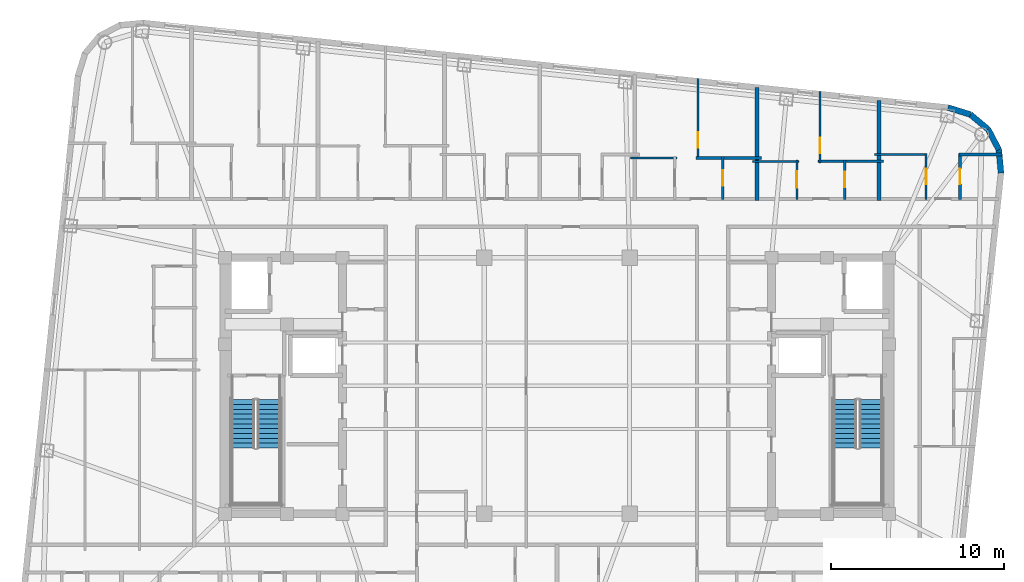
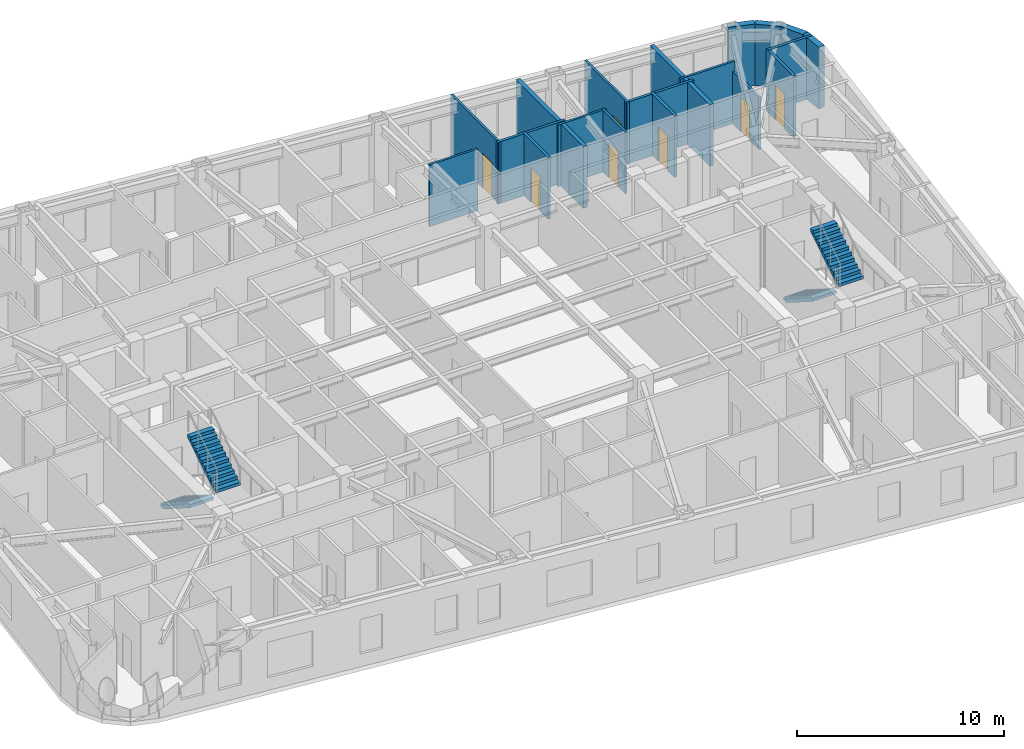
# One storey, part 9 of 11: 19 walls, 7 doors, 4 stair flights, 7 openings, 2 elements without a shape of their own.
"""IFC4 building model written with IfcOpenShell, lengths in metres."""

from ifc_helpers import new_model, si_unit, direction, frame, frame_2d, origin, place, context, subcontext, project, spatial, polyline, rectangle, outline, extrude, material, layer, layer_set, type_object, element, fill, aggregate, save


model = new_model("IFC4")

# Units and contexts
model_context = context("Model", 3, precision=1e-05, world=origin(), true_north=direction((0.0, 1.0)))
body_context = subcontext(model_context, "Body", "Model", "MODEL_VIEW")
ifc_project = project(units=[si_unit("LENGTHUNIT", "METRE"), si_unit("AREAUNIT", "SQUARE_METRE"), si_unit("VOLUMEUNIT", "CUBIC_METRE"), si_unit("PLANEANGLEUNIT", "RADIAN"), si_unit("MASSUNIT", "GRAM", prefix="KILO")], contexts=[model_context])

# Site, building, storey
site_placement = place(None, origin())
site = spatial("IfcSite", under=ifc_project, at=site_placement, CompositionType="ELEMENT")
building_placement = place(site_placement, origin())
building = spatial("IfcBuilding", under=site, at=building_placement, Name="Voryun Gate Residences", CompositionType="ELEMENT")
storey_placement = place(building_placement, frame((0.0, 0.0, 283.39990234375)))
storey = spatial("IfcBuildingStorey", under=building, at=storey_placement, Name="L70", CompositionType="ELEMENT", Elevation=283.39990234375)

# Walls
ifc_material_1 = material(Name="Charcoal terracotta masonry", Category="masonry")
ifc_layer_1 = layer(ifc_material_1, 0.340087890625, Name="W_EXT_TERRACOTTA_340")
ifc_layer_set_1 = layer_set([ifc_layer_1], Name="Charcoal terracotta masonry")
wall_type_1 = type_object("IfcWallType", Name="W_EXT_TERRACOTTA_340", PredefinedType="ELEMENTEDWALL", material=ifc_layer_set_1)
wall_1_placement = place(storey_placement, frame((22.6025390625, 16.083740234375, 0.0), z_axis=(0.0, 0.0, 1.0), x_axis=(0.955007802701, -0.296580674994, 0.0)))
element("IfcWall", 1, at=wall_1_placement, inside=storey, type_object=wall_type_1, Name="Exterior wall WEXT-L70-12", PredefinedType="ELEMENTEDWALL", context=body_context, shape_type="SweptSolid", body=[
    extrude(rectangle(XDim=1.354248046875, YDim=0.340087890625, at=frame_2d((0.67724609375, 0.0))), origin(), (0.0, 0.0, 1.0), 3.650146484375),
])
for number, where, z_axis, x_axis, name in (
    (2, (23.895751953125, 15.68212890625, 0.0), (0.0, 0.0, 1.0), (0.768789762863, -0.639501603217, 0.0), "Exterior wall WEXT-L70-13"),
    (3, (24.923583984375, 14.8271484375, 0.0), (0.0, 0.0, 1.0), (0.46567116636, -0.884957832228, 0.0), "Exterior wall WEXT-L70-14"),
):
    element("IfcWall", number, at=place(storey_placement, frame(where, z_axis=z_axis, x_axis=x_axis)), inside=storey, type_object=wall_type_1, Name=name, PredefinedType="ELEMENTEDWALL", context=body_context, shape_type="SweptSolid", body=[
        extrude(rectangle(XDim=1.3369140625, YDim=0.340087890625, at=frame_2d((0.66845703125, 0.0))), origin(), (0.0, 0.0, 1.0), 3.650146484375),
    ])
wall_2_placement = place(storey_placement, frame((25.546142578125, 13.64404296875, 0.0), z_axis=(0.0, 0.0, 1.0), x_axis=(0.091592370975, -0.995796584438, 0.0)))
element("IfcWall", 4, at=wall_2_placement, inside=storey, type_object=wall_type_1, Name="Exterior wall WEXT-L70-15", PredefinedType="ELEMENTEDWALL", context=body_context, shape_type="SweptSolid", body=[
    extrude(rectangle(XDim=1.35400390625, YDim=0.340087890625, at=frame_2d((0.677001953125, 0.0))), origin(), (0.0, 0.0, 1.0), 3.650146484375),
])
ifc_material_2 = material(Name="Concrete C40/50", Category="concrete")
ifc_layer_2 = layer(ifc_material_2, 0.219970703125, Name="W_PARTY_ACOUSTIC_220")
ifc_layer_set_2 = layer_set([ifc_layer_2], Name="Concrete C40/50")
wall_type_2 = type_object("IfcWallType", Name="W_PARTY_ACOUSTIC_220", PredefinedType="PARTITIONING", material=ifc_layer_set_2)
wall_3_placement = place(storey_placement, frame((11.55908203125, 10.719970703125, 0.0), z_axis=(0.0, 0.0, 1.0), x_axis=(0.0, 1.0, 0.0)))
element("IfcWall", 5, at=wall_3_placement, inside=storey, type_object=wall_type_2, Name="Partition wall WP-L70-NPTY-6", PredefinedType="PARTITIONING", context=body_context, shape_type="SweptSolid", body=[
    extrude(rectangle(XDim=6.5244140625, YDim=0.219970703125, at=frame_2d((3.26220703125, 0.0))), origin(), (0.0, 0.0, 1.0), 3.650146484375),
])
wall_4_placement = place(storey_placement, frame((18.617919921875, 10.719970703125, 0.0), z_axis=(0.0, 0.0, 1.0), x_axis=(0.0, 1.0, 0.0)))
element("IfcWall", 6, at=wall_4_placement, inside=storey, type_object=wall_type_2, Name="Partition wall WP-L70-NPTY-7", PredefinedType="PARTITIONING", context=body_context, shape_type="SweptSolid", body=[
    extrude(rectangle(XDim=5.782470703125, YDim=0.219970703125, at=frame_2d((2.89111328125, 0.0))), origin(), (0.0, 0.0, 1.0), 3.650146484375),
])

# Wall, opening, door
ifc_material_3 = material(Name="Gypsum acoustic partition")
ifc_layer_3 = layer(ifc_material_3, 0.125, Name="W_UNIT_PART_125")
ifc_layer_set_3 = layer_set([ifc_layer_3], Name="Gypsum acoustic partition")
wall_type_3 = type_object("IfcWallType", Name="W_UNIT_PART_125", PredefinedType="PARTITIONING", material=ifc_layer_set_3)
wall_5_placement = place(storey_placement, frame((8.14892578125, 13.0869140625, 0.0), z_axis=(0.0, 0.0, 1.0), x_axis=(0.0, 1.0, 0.0)))
wall_5 = element("IfcWall", 7, at=wall_5_placement, inside=storey, type_object=wall_type_3, Name="Partition wall WP-L70-N6-OVR", PredefinedType="PARTITIONING", context=body_context, shape_type="SweptSolid", body=[
    extrude(rectangle(XDim=4.666748046875, YDim=0.125, at=frame_2d((2.33349609375, 0.0))), origin(), (0.0, 0.0, 1.0), 3.650146484375),
])
opening_1_placement = place(wall_5_placement, frame((0.669921875, 0.0, 0.0)))
opening_1 = element("IfcOpeningElement", 8, at=opening_1_placement, cuts=wall_5, Name="Opening D-INT-2", PredefinedType="OPENING", context=body_context, shape_type="SweptSolid", body=[
    extrude(rectangle(XDim=0.89990234375, YDim=2.050048828125, at=frame_2d((0.449951171875, 1.02490234375))), frame((0.0, 0.072509765625, 0.0), z_axis=(0.0, -1.0, 0.0), x_axis=(1.0, 0.0, 0.0)), (0.0, 0.0, 1.0), 0.14501953125),
])
ifc_material_4 = material(Name="Architectural oak veneer")
door_type_1 = type_object("IfcDoorType", Name="DR_INT_BATH_900", OperationType="NOTDEFINED", PredefinedType="DOOR", material=ifc_material_4)
door_1_placement = place(opening_1_placement, origin())
door_1 = element("IfcDoor", 9, at=door_1_placement, inside=storey, type_object=door_type_1, Name="Door DR-L70-N6-DMB", OperationType="SINGLE_SWING_RIGHT", OverallHeight=2.050048828125, OverallWidth=0.89990234375, PredefinedType="DOOR", context=body_context, shape_type="SweptSolid", body=[
    extrude(rectangle(XDim=0.89990234375, YDim=2.050048828125, at=frame_2d((0.449951171875, 1.02490234375))), frame((0.0, 0.02490234375, 0.0), z_axis=(0.0, -1.0, 0.0), x_axis=(1.0, 0.0, 0.0)), (0.0, 0.0, 1.0), 0.050048828125),
])
fill(opening_1, door_1)

# Wall
wall_6_placement = place(storey_placement, frame((4.239990234375, 13.1669921875, 0.0), z_axis=(0.0, 0.0, 1.0), x_axis=(1.0, 0.0, 0.0)))
element("IfcWall", 10, at=wall_6_placement, inside=storey, type_object=wall_type_3, Name="Partition wall WP-L70-N6-HZK", PredefinedType="PARTITIONING", context=body_context, shape_type="SweptSolid", body=[
    extrude(rectangle(XDim=2.68994140625, YDim=0.125, at=frame_2d((1.344970703125, 0.0))), origin(), (0.0, 0.0, 1.0), 3.650146484375),
])

# Wall, opening, door
wall_7_placement = place(storey_placement, frame((15.2080078125, 12.889892578125, 0.0), z_axis=(0.0, 0.0, 1.0), x_axis=(0.0, 1.0, 0.0)))
wall_7 = element("IfcWall", 11, at=wall_7_placement, inside=storey, type_object=wall_type_3, Name="Partition wall WP-L70-N7-OVR", PredefinedType="PARTITIONING", context=body_context, shape_type="SweptSolid", body=[
    extrude(rectangle(XDim=4.121826171875, YDim=0.125, at=frame_2d((2.06103515625, 0.0))), origin(), (0.0, 0.0, 1.0), 3.650146484375),
])
opening_2_placement = place(wall_7_placement, frame((0.539306640625, 0.0, 0.0)))
opening_2 = element("IfcOpeningElement", 12, at=opening_2_placement, cuts=wall_7, Name="Opening D-INT-2", PredefinedType="OPENING", context=body_context, shape_type="SweptSolid", body=[
    extrude(rectangle(XDim=0.89990234375, YDim=2.050048828125, at=frame_2d((0.449951171875, 1.02490234375))), frame((0.0, 0.072509765625, 0.0), z_axis=(0.0, -1.0, 0.0), x_axis=(1.0, 0.0, 0.0)), (0.0, 0.0, 1.0), 0.14501953125),
])
door_2_placement = place(opening_2_placement, origin())
door_2 = element("IfcDoor", 13, at=door_2_placement, inside=storey, type_object=door_type_1, Name="Door DR-L70-N7-DMB", OperationType="SINGLE_SWING_RIGHT", OverallHeight=2.050048828125, OverallWidth=0.89990234375, PredefinedType="DOOR", context=body_context, shape_type="SweptSolid", body=[
    extrude(rectangle(XDim=0.89990234375, YDim=2.050048828125, at=frame_2d((0.449951171875, 1.02490234375))), frame((0.0, 0.02490234375, 0.0), z_axis=(0.0, -1.0, 0.0), x_axis=(1.0, 0.0, 0.0)), (0.0, 0.0, 1.0), 0.050048828125),
])
fill(opening_2, door_2)

wall_8_placement = place(storey_placement, frame((13.868896484375, 10.780029296875, 0.0), z_axis=(0.0, 0.0, 1.0), x_axis=(0.0, 1.0, 0.0)))
wall_8 = element("IfcWall", 14, at=wall_8_placement, inside=storey, type_object=wall_type_3, Name="Partition wall WP-L70-N7-IVK", PredefinedType="PARTITIONING", context=body_context, shape_type="SweptSolid", body=[
    extrude(rectangle(XDim=2.27001953125, YDim=0.125, at=frame_2d((1.135009765625, 0.0))), origin(), (0.0, 0.0, 1.0), 3.650146484375),
])
opening_3_placement = place(wall_8_placement, frame((0.659912109375, 0.0, 0.0)))
opening_3 = element("IfcOpeningElement", 15, at=opening_3_placement, cuts=wall_8, Name="Opening D-INT-1", PredefinedType="OPENING", context=body_context, shape_type="SweptSolid", body=[
    extrude(rectangle(XDim=0.949951171875, YDim=2.050048828125, at=frame_2d((0.47509765625, 1.02490234375))), frame((0.0, 0.072509765625, 0.0), z_axis=(0.0, -1.0, 0.0), x_axis=(1.0, 0.0, 0.0)), (0.0, 0.0, 1.0), 0.14501953125),
])
ifc_material_5 = material(Name="Architectural oak veneer")
door_type_2 = type_object("IfcDoorType", Name="DR_INT_ROOM_950", OperationType="NOTDEFINED", PredefinedType="DOOR", material=ifc_material_5)
door_3_placement = place(opening_3_placement, origin())
door_3 = element("IfcDoor", 16, at=door_3_placement, inside=storey, type_object=door_type_2, Name="Door DR-L70-N7-DK", OperationType="SINGLE_SWING_LEFT", OverallHeight=2.050048828125, OverallWidth=0.949951171875, PredefinedType="DOOR", context=body_context, shape_type="SweptSolid", body=[
    extrude(rectangle(XDim=0.949951171875, YDim=2.050048828125, at=frame_2d((0.47509765625, 1.02490234375))), frame((0.0, 0.02490234375, 0.0), z_axis=(0.0, -1.0, 0.0), x_axis=(1.0, 0.0, 0.0)), (0.0, 0.0, 1.0), 0.050048828125),
])
fill(opening_3, door_3)

# Wall
wall_9_placement = place(storey_placement, frame((11.299072265625, 12.969970703125, 0.0), z_axis=(0.0, 0.0, 1.0), x_axis=(1.0, 0.0, 0.0)))
element("IfcWall", 17, at=wall_9_placement, inside=storey, type_object=wall_type_3, Name="Partition wall WP-L70-N7-HZK", PredefinedType="PARTITIONING", context=body_context, shape_type="SweptSolid", body=[
    extrude(rectangle(XDim=2.68994140625, YDim=0.125, at=frame_2d((1.344970703125, 0.0))), origin(), (0.0, 0.0, 1.0), 3.650146484375),
])

# Wall, opening, door
wall_10_placement = place(storey_placement, frame((21.337890625, 10.780029296875, 0.0), z_axis=(0.0, 0.0, 1.0), x_axis=(0.0, 1.0, 0.0)))
wall_10 = element("IfcWall", 18, at=wall_10_placement, inside=storey, type_object=wall_type_3, Name="Partition wall WP-L70-N8-CVK", PredefinedType="PARTITIONING", context=body_context, shape_type="SweptSolid", body=[
    extrude(rectangle(XDim=2.64990234375, YDim=0.125, at=frame_2d((1.324951171875, 0.0))), origin(), (0.0, 0.0, 1.0), 3.090087890625),
])
opening_4_placement = place(wall_10_placement, frame((0.875, 0.0, 0.0)))
opening_4 = element("IfcOpeningElement", 19, at=opening_4_placement, cuts=wall_10, Name="Opening D-INT-2", PredefinedType="OPENING", context=body_context, shape_type="SweptSolid", body=[
    extrude(rectangle(XDim=0.89990234375, YDim=2.050048828125, at=frame_2d((0.449951171875, 1.02490234375))), frame((0.0, 0.072509765625, 0.0), z_axis=(0.0, -1.0, 0.0), x_axis=(1.0, 0.0, 0.0)), (0.0, 0.0, 1.0), 0.14501953125),
])
door_4_placement = place(opening_4_placement, origin())
door_4 = element("IfcDoor", 20, at=door_4_placement, inside=storey, type_object=door_type_1, Name="Door DR-L70-N8-DK", OperationType="SINGLE_SWING_LEFT", OverallHeight=2.050048828125, OverallWidth=0.89990234375, PredefinedType="DOOR", context=body_context, shape_type="SweptSolid", body=[
    extrude(rectangle(XDim=0.89990234375, YDim=2.050048828125, at=frame_2d((0.449951171875, 1.02490234375))), frame((0.0, 0.02490234375, 0.0), z_axis=(0.0, -1.0, 0.0), x_axis=(1.0, 0.0, 0.0)), (0.0, 0.0, 1.0), 0.050048828125),
])
fill(opening_4, door_4)

# Walls
wall_11_placement = place(storey_placement, frame((18.35791015625, 13.3701171875, 0.0), z_axis=(0.0, 0.0, 1.0), x_axis=(1.0, 0.0, 0.0)))
element("IfcWall", 21, at=wall_11_placement, inside=storey, type_object=wall_type_3, Name="Partition wall WP-L70-N8-CHK", PredefinedType="PARTITIONING", context=body_context, shape_type="SweptSolid", body=[
    extrude(rectangle(XDim=3.0400390625, YDim=0.125, at=frame_2d((1.52001953125, 0.0))), origin(), (0.0, 0.0, 1.0), 3.650146484375),
])
ifc_material_6 = material(Name="Gypsum moisture-resistant partition")
ifc_layer_4 = layer(ifc_material_6, 0.14990234375, Name="W_WET_PLUMB_150")
ifc_layer_set_4 = layer_set([ifc_layer_4], Name="Gypsum moisture-resistant partition")
wall_type_4 = type_object("IfcWallType", Name="W_WET_PLUMB_150", PredefinedType="PLUMBINGWALL", material=ifc_layer_set_4)
wall_12_placement = place(storey_placement, frame((8.029052734375, 13.1669921875, 0.0), z_axis=(0.0, 0.0, 1.0), x_axis=(1.0, 0.0, 0.0)))
element("IfcWall", 22, at=wall_12_placement, inside=storey, type_object=wall_type_4, Name="Partition wall WP-L70-N6-HZB", PredefinedType="PLUMBINGWALL", context=body_context, shape_type="SweptSolid", body=[
    extrude(rectangle(XDim=3.7900390625, YDim=0.14990234375, at=frame_2d((1.89501953125, 0.0))), origin(), (0.0, 0.0, 1.0), 3.650146484375),
])

# Wall, opening, door
wall_13_placement = place(storey_placement, frame((9.5791015625, 10.780029296875, 0.0), z_axis=(0.0, 0.0, 1.0), x_axis=(0.0, 1.0, 0.0)))
wall_13 = element("IfcWall", 23, at=wall_13_placement, inside=storey, type_object=wall_type_4, Name="Partition wall WP-L70-N6-IVB", PredefinedType="PLUMBINGWALL", context=body_context, shape_type="SweptSolid", body=[
    extrude(rectangle(XDim=2.467041015625, YDim=0.14990234375, at=frame_2d((1.2333984375, 0.0))), origin(), (0.0, 0.0, 1.0), 3.650146484375),
])
opening_5_placement = place(wall_13_placement, frame((0.783447265625, 0.0, 0.0)))
opening_5 = element("IfcOpeningElement", 24, at=opening_5_placement, cuts=wall_13, Name="Opening D-INT-2", PredefinedType="OPENING", context=body_context, shape_type="SweptSolid", body=[
    extrude(rectangle(XDim=0.89990234375, YDim=2.050048828125, at=frame_2d((0.449951171875, 1.02490234375))), frame((0.0, 0.0849609375, 0.0), z_axis=(0.0, -1.0, 0.0), x_axis=(1.0, 0.0, 0.0)), (0.0, 0.0, 1.0), 0.169921875),
])
door_5_placement = place(opening_5_placement, origin())
door_5 = element("IfcDoor", 25, at=door_5_placement, inside=storey, type_object=door_type_1, Name="Door DR-L70-N6-DB", OperationType="SINGLE_SWING_RIGHT", OverallHeight=2.050048828125, OverallWidth=0.89990234375, PredefinedType="DOOR", context=body_context, shape_type="SweptSolid", body=[
    extrude(rectangle(XDim=0.89990234375, YDim=2.050048828125, at=frame_2d((0.449951171875, 1.02490234375))), frame((0.0, 0.02490234375, 0.0), z_axis=(0.0, -1.0, 0.0), x_axis=(1.0, 0.0, 0.0)), (0.0, 0.0, 1.0), 0.050048828125),
])
fill(opening_5, door_5)

# Wall
wall_14_placement = place(storey_placement, frame((15.087890625, 12.969970703125, 0.0), z_axis=(0.0, 0.0, 1.0), x_axis=(1.0, 0.0, 0.0)))
element("IfcWall", 26, at=wall_14_placement, inside=storey, type_object=wall_type_4, Name="Partition wall WP-L70-N7-HZB", PredefinedType="PLUMBINGWALL", context=body_context, shape_type="SweptSolid", body=[
    extrude(rectangle(XDim=3.7900390625, YDim=0.14990234375, at=frame_2d((1.89501953125, 0.0))), origin(), (0.0, 0.0, 1.0), 3.650146484375),
])

# Wall, opening, door
wall_15_placement = place(storey_placement, frame((16.637939453125, 10.780029296875, 0.0), z_axis=(0.0, 0.0, 1.0), x_axis=(0.0, 1.0, 0.0)))
wall_15 = element("IfcWall", 27, at=wall_15_placement, inside=storey, type_object=wall_type_4, Name="Partition wall WP-L70-N7-IVB", PredefinedType="PLUMBINGWALL", context=body_context, shape_type="SweptSolid", body=[
    extrude(rectangle(XDim=2.27001953125, YDim=0.14990234375, at=frame_2d((1.135009765625, 0.0))), origin(), (0.0, 0.0, 1.0), 3.650146484375),
])
opening_6_placement = place(wall_15_placement, frame((0.68505859375, 0.0, 0.0)))
opening_6 = element("IfcOpeningElement", 28, at=opening_6_placement, cuts=wall_15, Name="Opening D-INT-2", PredefinedType="OPENING", context=body_context, shape_type="SweptSolid", body=[
    extrude(rectangle(XDim=0.89990234375, YDim=2.050048828125, at=frame_2d((0.449951171875, 1.02490234375))), frame((0.0, 0.0849609375, 0.0), z_axis=(0.0, -1.0, 0.0), x_axis=(1.0, 0.0, 0.0)), (0.0, 0.0, 1.0), 0.169921875),
])
door_6_placement = place(opening_6_placement, origin())
door_6 = element("IfcDoor", 29, at=door_6_placement, inside=storey, type_object=door_type_1, Name="Door DR-L70-N7-DB", OperationType="SINGLE_SWING_RIGHT", OverallHeight=2.050048828125, OverallWidth=0.89990234375, PredefinedType="DOOR", context=body_context, shape_type="SweptSolid", body=[
    extrude(rectangle(XDim=0.89990234375, YDim=2.050048828125, at=frame_2d((0.449951171875, 1.02490234375))), frame((0.0, 0.02490234375, 0.0), z_axis=(0.0, -1.0, 0.0), x_axis=(1.0, 0.0, 0.0)), (0.0, 0.0, 1.0), 0.050048828125),
])
fill(opening_6, door_6)

wall_16_placement = place(storey_placement, frame((23.297119140625, 10.780029296875, 0.0), z_axis=(0.0, 0.0, 1.0), x_axis=(0.0, 1.0, 0.0)))
wall_16 = element("IfcWall", 30, at=wall_16_placement, inside=storey, type_object=wall_type_4, Name="Partition wall WP-L70-N8-CVB", PredefinedType="PLUMBINGWALL", context=body_context, shape_type="SweptSolid", body=[
    extrude(rectangle(XDim=2.64990234375, YDim=0.14990234375, at=frame_2d((1.324951171875, 0.0))), origin(), (0.0, 0.0, 1.0), 3.650146484375),
])
opening_7_placement = place(wall_16_placement, frame((0.875, 0.0, 0.0)))
opening_7 = element("IfcOpeningElement", 31, at=opening_7_placement, cuts=wall_16, Name="Opening D-INT-2", PredefinedType="OPENING", context=body_context, shape_type="SweptSolid", body=[
    extrude(rectangle(XDim=0.89990234375, YDim=2.050048828125, at=frame_2d((0.449951171875, 1.02490234375))), frame((0.0, 0.0849609375, 0.0), z_axis=(0.0, -1.0, 0.0), x_axis=(1.0, 0.0, 0.0)), (0.0, 0.0, 1.0), 0.169921875),
])
door_7_placement = place(opening_7_placement, origin())
door_7 = element("IfcDoor", 32, at=door_7_placement, inside=storey, type_object=door_type_1, Name="Door DR-L70-N8-DB", OperationType="SINGLE_SWING_RIGHT", OverallHeight=2.050048828125, OverallWidth=0.89990234375, PredefinedType="DOOR", context=body_context, shape_type="SweptSolid", body=[
    extrude(rectangle(XDim=0.89990234375, YDim=2.050048828125, at=frame_2d((0.449951171875, 1.02490234375))), frame((0.0, 0.02490234375, 0.0), z_axis=(0.0, -1.0, 0.0), x_axis=(1.0, 0.0, 0.0)), (0.0, 0.0, 1.0), 0.050048828125),
])
fill(opening_7, door_7)

# Wall
wall_17_placement = place(storey_placement, frame((23.237060546875, 13.3701171875, 0.0), z_axis=(0.0, 0.0, 1.0), x_axis=(1.0, 0.0, 0.0)))
element("IfcWall", 33, at=wall_17_placement, inside=storey, type_object=wall_type_4, Name="Partition wall WP-L70-N8-CHB", PredefinedType="PLUMBINGWALL", context=body_context, shape_type="SweptSolid", body=[
    extrude(rectangle(XDim=2.48486328125, YDim=0.14990234375, at=frame_2d((1.242431640625, 0.0))), origin(), (0.0, 0.0, 1.0), 3.650146484375),
])

# Stair, stair flights
ifc_material_7 = material(Name="Concrete C40/50", Category="concrete")
stair_type = type_object("IfcStairType", Name="STR_CORE_DOGLEG_1350", PredefinedType="HALF_TURN_STAIR", material=ifc_material_7)
stair_1_placement = place(storey_placement, origin())
stair_1 = element("IfcStair", 34, at=stair_1_placement, inside=storey, type_object=stair_type, Name="L70 Special Escape Stair ST-W1", PredefinedType="HALF_TURN_STAIR")
ifc_material_8 = material(Name="Concrete C40/50", Category="concrete")
stair_flight_type = type_object("IfcStairFlightType", Name="FLT_CORE_1350", PredefinedType="STRAIGHT", material=ifc_material_8)
stair_flight_1_placement = place(storey_placement, frame((-18.14990234375, -0.800048828125, 0.0), z_axis=(0.0, 0.0, 1.0), x_axis=(0.0, -1.0, 0.0)))
stair_flight_1 = element("IfcStairFlight", 35, at=stair_flight_1_placement, type_object=stair_flight_type, Name="ST-W1 flight 1", NumberOfRisers=11, NumberOfTreads=10, PredefinedType="STRAIGHT", RiserHeight=0.177272727, TreadLength=0.28, context=body_context, shape_type="SweptSolid", body=[
    extrude(outline(polyline([(0.0, 0.0), (0.0, 0.17724609375), (0.280029296875, 0.17724609375), (0.280029296875, 0.3544921875), (0.56005859375, 0.3544921875), (0.56005859375, 0.53173828125), (0.840087890625, 0.53173828125), (0.840087890625, 0.708984375), (1.1201171875, 0.708984375), (1.1201171875, 0.886474609375), (1.39990234375, 0.886474609375), (1.39990234375, 1.063720703125), (1.679931640625, 1.063720703125), (1.679931640625, 1.240966796875), (1.9599609375, 1.240966796875), (1.9599609375, 1.418212890625), (2.239990234375, 1.418212890625), (2.239990234375, 1.595458984375), (2.52001953125, 1.595458984375), (2.52001953125, 1.772705078125), (2.800048828125, 1.772705078125), (2.800048828125, 1.949951171875), (2.800048828125, 1.59521484375), (0.2802734375, 0.0), (0.0, 0.0)])), frame((0.0, 0.675048828125, 0.0), z_axis=(0.0, -1.0, 0.0), x_axis=(1.0, 0.0, 0.0)), (0.0, 0.0, 1.0), 1.35009765625),
])
stair_flight_2_placement = place(storey_placement, frame((-16.64990234375, -3.60009765625, 1.9501953125), z_axis=(0.0, 0.0, 1.0), x_axis=(0.0, 1.0, 0.0)))
stair_flight_2 = element("IfcStairFlight", 36, at=stair_flight_2_placement, type_object=stair_flight_type, Name="ST-W1 flight 2", NumberOfRisers=11, NumberOfTreads=10, PredefinedType="STRAIGHT", RiserHeight=0.177272727, TreadLength=0.28, context=body_context, shape_type="SweptSolid", body=[
    extrude(outline(polyline([(0.0, 0.0), (0.0, 0.17724609375), (0.280029296875, 0.17724609375), (0.280029296875, 0.3544921875), (0.56005859375, 0.3544921875), (0.56005859375, 0.53173828125), (0.840087890625, 0.53173828125), (0.840087890625, 0.708984375), (1.1201171875, 0.708984375), (1.1201171875, 0.886474609375), (1.39990234375, 0.886474609375), (1.39990234375, 1.063720703125), (1.679931640625, 1.063720703125), (1.679931640625, 1.240966796875), (1.9599609375, 1.240966796875), (1.9599609375, 1.418212890625), (2.239990234375, 1.418212890625), (2.239990234375, 1.595458984375), (2.52001953125, 1.595458984375), (2.52001953125, 1.772705078125), (2.800048828125, 1.772705078125), (2.800048828125, 1.949951171875), (2.800048828125, 1.59521484375), (0.2802734375, 0.0), (0.0, 0.0)])), frame((0.0, 0.675048828125, 0.0), z_axis=(0.0, -1.0, 0.0), x_axis=(1.0, 0.0, 0.0)), (0.0, 0.0, 1.0), 1.35009765625),
])
aggregate(stair_1, [stair_flight_1, stair_flight_2])

stair_2_placement = place(storey_placement, origin())
stair_2 = element("IfcStair", 37, at=stair_2_placement, inside=storey, type_object=stair_type, Name="L70 Special Escape Stair ST-E1", PredefinedType="HALF_TURN_STAIR")
stair_flight_3_placement = place(storey_placement, frame((16.64990234375, -0.800048828125, 0.0), z_axis=(0.0, 0.0, 1.0), x_axis=(0.0, -1.0, 0.0)))
stair_flight_3 = element("IfcStairFlight", 38, at=stair_flight_3_placement, type_object=stair_flight_type, Name="ST-E1 flight 1", NumberOfRisers=11, NumberOfTreads=10, PredefinedType="STRAIGHT", RiserHeight=0.177272727, TreadLength=0.28, context=body_context, shape_type="SweptSolid", body=[
    extrude(outline(polyline([(0.0, 0.0), (0.0, 0.17724609375), (0.280029296875, 0.17724609375), (0.280029296875, 0.3544921875), (0.56005859375, 0.3544921875), (0.56005859375, 0.53173828125), (0.840087890625, 0.53173828125), (0.840087890625, 0.708984375), (1.1201171875, 0.708984375), (1.1201171875, 0.886474609375), (1.39990234375, 0.886474609375), (1.39990234375, 1.063720703125), (1.679931640625, 1.063720703125), (1.679931640625, 1.240966796875), (1.9599609375, 1.240966796875), (1.9599609375, 1.418212890625), (2.239990234375, 1.418212890625), (2.239990234375, 1.595458984375), (2.52001953125, 1.595458984375), (2.52001953125, 1.772705078125), (2.800048828125, 1.772705078125), (2.800048828125, 1.949951171875), (2.800048828125, 1.59521484375), (0.2802734375, 0.0), (0.0, 0.0)])), frame((0.0, 0.675048828125, 0.0), z_axis=(0.0, -1.0, 0.0), x_axis=(1.0, 0.0, 0.0)), (0.0, 0.0, 1.0), 1.35009765625),
])
stair_flight_4_placement = place(storey_placement, frame((18.14990234375, -3.60009765625, 1.9501953125), z_axis=(0.0, 0.0, 1.0), x_axis=(0.0, 1.0, 0.0)))
stair_flight_4 = element("IfcStairFlight", 39, at=stair_flight_4_placement, type_object=stair_flight_type, Name="ST-E1 flight 2", NumberOfRisers=11, NumberOfTreads=10, PredefinedType="STRAIGHT", RiserHeight=0.177272727, TreadLength=0.28, context=body_context, shape_type="SweptSolid", body=[
    extrude(outline(polyline([(0.0, 0.0), (0.0, 0.17724609375), (0.280029296875, 0.17724609375), (0.280029296875, 0.3544921875), (0.56005859375, 0.3544921875), (0.56005859375, 0.53173828125), (0.840087890625, 0.53173828125), (0.840087890625, 0.708984375), (1.1201171875, 0.708984375), (1.1201171875, 0.886474609375), (1.39990234375, 0.886474609375), (1.39990234375, 1.063720703125), (1.679931640625, 1.063720703125), (1.679931640625, 1.240966796875), (1.9599609375, 1.240966796875), (1.9599609375, 1.418212890625), (2.239990234375, 1.418212890625), (2.239990234375, 1.595458984375), (2.52001953125, 1.595458984375), (2.52001953125, 1.772705078125), (2.800048828125, 1.772705078125), (2.800048828125, 1.949951171875), (2.800048828125, 1.59521484375), (0.2802734375, 0.0), (0.0, 0.0)])), frame((0.0, 0.675048828125, 0.0), z_axis=(0.0, -1.0, 0.0), x_axis=(1.0, 0.0, 0.0)), (0.0, 0.0, 1.0), 1.35009765625),
])
aggregate(stair_2, [stair_flight_3, stair_flight_4])

save(model, "model.ifc")
